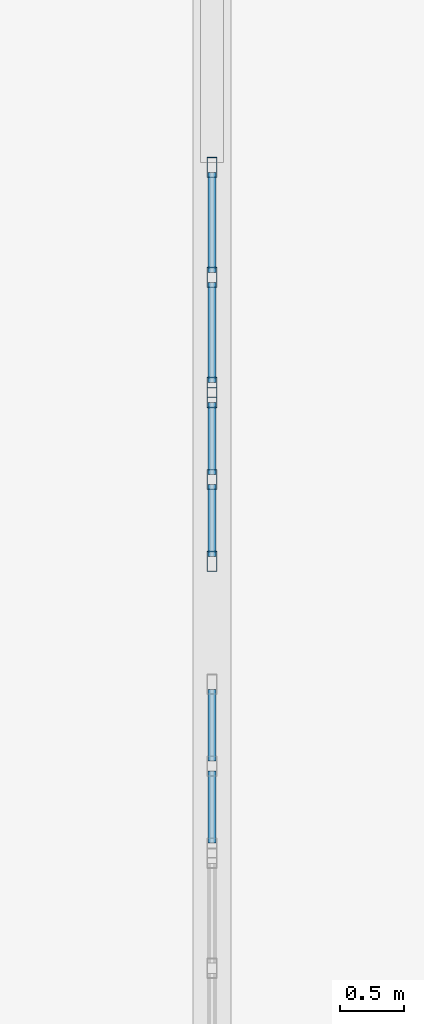
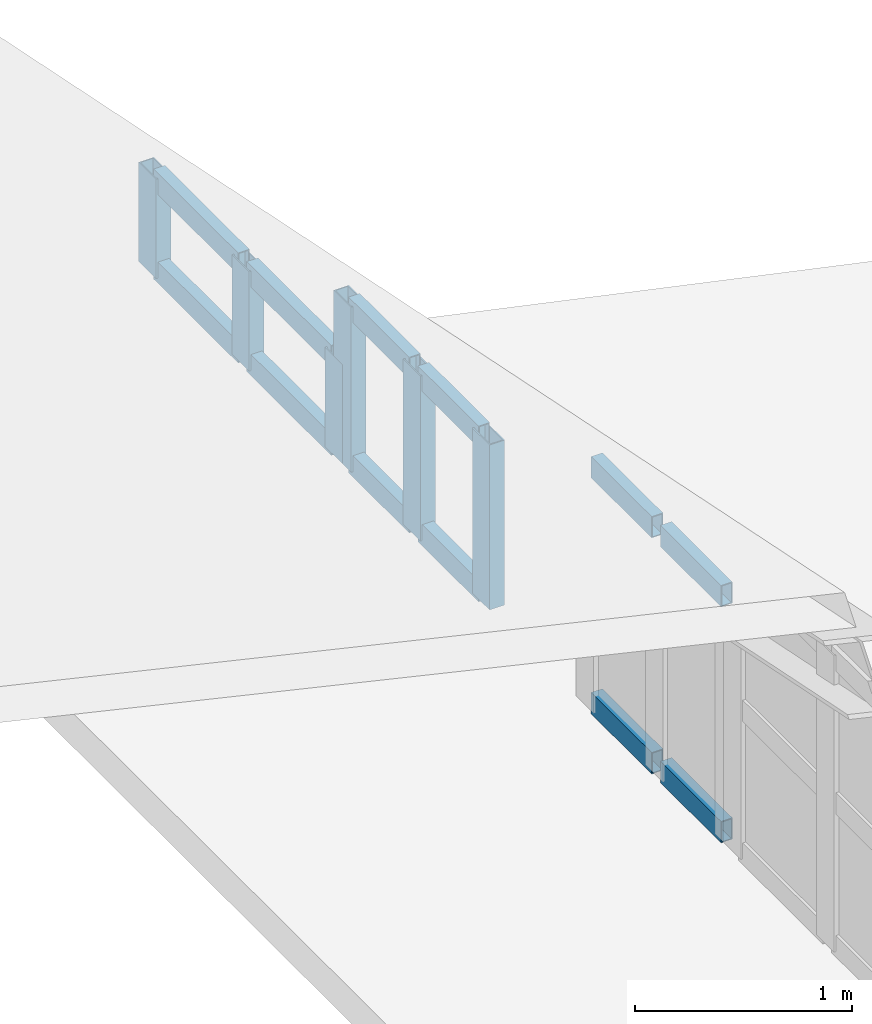
# One storey, part 48 of 76: 18 members, 3 elements without a shape of their own.
"""IFC4 building model written with IfcOpenShell, lengths in metres."""

from ifc_helpers import new_model, si_unit, direction, frame, origin, origin_2d, place, context, subcontext, project, spatial, hollow_rectangle, extrude, material, layer, layer_set, material_profile, profile_set, type_object, element, aggregate, save


model = new_model("IFC4")

# Units and contexts
model_context = context("Model", 3, precision=1e-05, world=origin(), true_north=direction((0.0, 1.0)))
body_context = subcontext(model_context, "Body", "Model", "MODEL_VIEW")
ifc_project = project(units=[si_unit("LENGTHUNIT", "METRE"), si_unit("AREAUNIT", "SQUARE_METRE"), si_unit("VOLUMEUNIT", "CUBIC_METRE"), si_unit("PLANEANGLEUNIT", "RADIAN"), si_unit("MASSUNIT", "GRAM", prefix="KILO"), si_unit("THERMODYNAMICTEMPERATUREUNIT", "KELVIN"), si_unit("POWERUNIT", "WATT")], contexts=[model_context])

# Site, building, storey
site_placement = place(None, origin())
site = spatial("IfcSite", under=ifc_project, at=site_placement, CompositionType="ELEMENT")
building_placement = place(site_placement, origin())
building = spatial("IfcBuilding", under=site, at=building_placement, Name="Kaldorven Railside Theatre", CompositionType="ELEMENT")
storey_placement = place(building_placement, frame((0.0, 0.0, 14.39990234375)))
storey = spatial("IfcBuildingStorey", under=building, at=storey_placement, Name="L03", CompositionType="ELEMENT", Elevation=14.39990234375)

# Curtain wall, members
ifc_material_1 = material(Name="Low-E laminated solar-control glass", Category="glass")
ifc_layer_1 = layer(ifc_material_1, 0.159912109375, Name="Low-E laminated solar-control glass")
ifc_layer_set_1 = layer_set([ifc_layer_1], Name="Low-E laminated solar-control glass")
curtain_wall_type_1 = type_object("IfcCurtainWallType", Name="CWT-72", PredefinedType="USERDEFINED", material=ifc_layer_set_1)
curtain_wall_1_placement = place(storey_placement, origin())
curtain_wall_1 = element("IfcCurtainWall", 1, at=curtain_wall_1_placement, inside=storey, type_object=curtain_wall_type_1, Name="Rehearsal East Gable Clerestory CWG-168", ObjectType="FLUTED GLAZING", PredefinedType="USERDEFINED")
ifc_material_2 = material(Name="Anodised bronze aluminium", Category="aluminium")
ifc_material_profile_1 = material_profile(ifc_material_2, hollow_rectangle(XDim=0.080078125, YDim=0.159912109375, WallThickness=0.00634765625, at=origin_2d()), Name="RHS 160x80x6.3")
ifc_profile_set_1 = profile_set([ifc_material_profile_1], Name="Anodised bronze aluminium")
member_type_1 = type_object("IfcMemberType", Name="CWM-160", PredefinedType="MULLION", material=ifc_profile_set_1)
member_1_placement = place(storey_placement, frame((180.800048828125, 134.8798828125, 0.02001953125), z_axis=(0.0, 0.0, 1.0), x_axis=(-1.0, 0.0, 0.0)))
member_1 = element("IfcMember", 2, at=member_1_placement, type_object=member_type_1, Name="CWG-168 mullion 1", PredefinedType="MULLION", context=body_context, shape_type="SweptSolid", body=[
    extrude(hollow_rectangle(XDim=0.080078125, YDim=0.159912109375, WallThickness=0.00634765625, at=origin_2d()), origin(), (0.0, 0.0, 1.0), 0.93017578125),
])
member_2_placement = place(storey_placement, frame((180.800048828125, 135.52001953125, 0.02001953125), z_axis=(0.0, 0.0, 1.0), x_axis=(-1.0, 0.0, 0.0)))
member_2 = element("IfcMember", 3, at=member_2_placement, type_object=member_type_1, Name="CWG-168 mullion 2", PredefinedType="MULLION", context=body_context, shape_type="SweptSolid", body=[
    extrude(hollow_rectangle(XDim=0.080078125, YDim=0.159912109375, WallThickness=0.00634765625, at=origin_2d()), origin(), (0.0, 0.0, 1.0), 0.93017578125),
])
member_3_placement = place(storey_placement, frame((180.800048828125, 136.159912109375, 0.02001953125), z_axis=(0.0, 0.0, 1.0), x_axis=(-1.0, 0.0, 0.0)))
member_3 = element("IfcMember", 4, at=member_3_placement, type_object=member_type_1, Name="CWG-168 mullion 3", PredefinedType="MULLION", context=body_context, shape_type="SweptSolid", body=[
    extrude(hollow_rectangle(XDim=0.080078125, YDim=0.159912109375, WallThickness=0.00634765625, at=origin_2d()), origin(), (0.0, 0.0, 1.0), 0.93017578125),
])

ifc_layer_2 = layer(ifc_material_1, 0.159912109375, Name="Low-E laminated solar-control glass")
ifc_layer_set_2 = layer_set([ifc_layer_2], Name="Low-E laminated solar-control glass")
curtain_wall_type_2 = type_object("IfcCurtainWallType", Name="CWT-71", PredefinedType="USERDEFINED", material=ifc_layer_set_2)
curtain_wall_2_placement = place(storey_placement, origin())
curtain_wall_2 = element("IfcCurtainWall", 5, at=curtain_wall_2_placement, inside=storey, type_object=curtain_wall_type_2, Name="Rehearsal East Gable Clerestory CWG-169", ObjectType="FLUTED GLAZING", PredefinedType="USERDEFINED")
member_4_placement = place(storey_placement, frame((180.800048828125, 136.239990234375, 0.02001953125), z_axis=(0.0, 0.0, 1.0), x_axis=(-1.0, 0.0, 0.0)))
member_4 = element("IfcMember", 6, at=member_4_placement, type_object=member_type_1, Name="CWG-169 mullion 1", PredefinedType="MULLION", context=body_context, shape_type="SweptSolid", body=[
    extrude(hollow_rectangle(XDim=0.080078125, YDim=0.159912109375, WallThickness=0.00634765625, at=origin_2d()), origin(), (0.0, 0.0, 1.0), 0.56005859375),
])
member_5_placement = place(storey_placement, frame((180.800048828125, 137.10009765625, 0.02001953125), z_axis=(0.0, 0.0, 1.0), x_axis=(-1.0, 0.0, 0.0)))
member_5 = element("IfcMember", 7, at=member_5_placement, type_object=member_type_1, Name="CWG-169 mullion 2", PredefinedType="MULLION", context=body_context, shape_type="SweptSolid", body=[
    extrude(hollow_rectangle(XDim=0.080078125, YDim=0.159912109375, WallThickness=0.00634765625, at=origin_2d()), origin(), (0.0, 0.0, 1.0), 0.56005859375),
])
member_6_placement = place(storey_placement, frame((180.800048828125, 137.9599609375, 0.02001953125), z_axis=(0.0, 0.0, 1.0), x_axis=(-1.0, 0.0, 0.0)))
member_6 = element("IfcMember", 8, at=member_6_placement, type_object=member_type_1, Name="CWG-169 mullion 3", PredefinedType="MULLION", context=body_context, shape_type="SweptSolid", body=[
    extrude(hollow_rectangle(XDim=0.080078125, YDim=0.159912109375, WallThickness=0.00634765625, at=origin_2d()), origin(), (0.0, 0.0, 1.0), 0.56005859375),
])

ifc_layer_3 = layer(ifc_material_1, 0.159912109375, Name="Low-E laminated solar-control glass")
ifc_layer_set_3 = layer_set([ifc_layer_3], Name="Low-E laminated solar-control glass")
curtain_wall_type_3 = type_object("IfcCurtainWallType", Name="CWT-73", PredefinedType="USERDEFINED", material=ifc_layer_set_3)
curtain_wall_3_placement = place(storey_placement, origin())
curtain_wall_3 = element("IfcCurtainWall", 9, at=curtain_wall_3_placement, inside=storey, type_object=curtain_wall_type_3, Name="Rehearsal East Gable Clerestory CWG-167", ObjectType="FLUTED GLAZING", PredefinedType="USERDEFINED")
ifc_material_profile_2 = material_profile(ifc_material_2, hollow_rectangle(XDim=0.06005859375, YDim=0.1201171875, WallThickness=0.0048828125, at=origin_2d()), Name="RHS 120x60x5")
ifc_profile_set_2 = profile_set([ifc_material_profile_2], Name="Anodised bronze aluminium")
member_type_2 = type_object("IfcMemberType", Name="CWT-120", PredefinedType="USERDEFINED", material=ifc_profile_set_2)
member_7_placement = place(storey_placement, frame((180.800048828125, 132.679931640625, 0.050048828125), z_axis=(0.0, 1.0, 0.0), x_axis=(-1.0, 0.0, 0.0)))
member_7 = element("IfcMember", 10, at=member_7_placement, type_object=member_type_2, Name="CWG-167 transom 1.1", ObjectType="TRANSOM", PredefinedType="USERDEFINED", context=body_context, shape_type="SweptSolid", body=[
    extrude(hollow_rectangle(XDim=0.06005859375, YDim=0.1201171875, WallThickness=0.0048828125, at=origin_2d()), origin(), (0.0, 0.0, 1.0), 0.56005859375),
])
member_8_placement = place(storey_placement, frame((180.800048828125, 132.679931640625, 1.380126953125), z_axis=(0.0, 1.0, 0.0), x_axis=(-1.0, 0.0, 0.0)))
member_8 = element("IfcMember", 11, at=member_8_placement, type_object=member_type_2, Name="CWG-167 transom 1.2", ObjectType="TRANSOM", PredefinedType="USERDEFINED", context=body_context, shape_type="SweptSolid", body=[
    extrude(hollow_rectangle(XDim=0.06005859375, YDim=0.1201171875, WallThickness=0.0048828125, at=origin_2d()), origin(), (0.0, 0.0, 1.0), 0.56005859375),
])
member_9_placement = place(storey_placement, frame((180.800048828125, 133.320068359375, 0.050048828125), z_axis=(0.0, 1.0, 0.0), x_axis=(-1.0, 0.0, 0.0)))
member_9 = element("IfcMember", 12, at=member_9_placement, type_object=member_type_2, Name="CWG-167 transom 2.1", ObjectType="TRANSOM", PredefinedType="USERDEFINED", context=body_context, shape_type="SweptSolid", body=[
    extrude(hollow_rectangle(XDim=0.06005859375, YDim=0.1201171875, WallThickness=0.0048828125, at=origin_2d()), origin(), (0.0, 0.0, 1.0), 0.559814453125),
])
member_10_placement = place(storey_placement, frame((180.800048828125, 133.320068359375, 1.380126953125), z_axis=(0.0, 1.0, 0.0), x_axis=(-1.0, 0.0, 0.0)))
member_10 = element("IfcMember", 13, at=member_10_placement, type_object=member_type_2, Name="CWG-167 transom 2.2", ObjectType="TRANSOM", PredefinedType="USERDEFINED", context=body_context, shape_type="SweptSolid", body=[
    extrude(hollow_rectangle(XDim=0.06005859375, YDim=0.1201171875, WallThickness=0.0048828125, at=origin_2d()), origin(), (0.0, 0.0, 1.0), 0.559814453125),
])
aggregate(curtain_wall_3, [member_7, member_8, member_9, member_10])

# Member
member_11_placement = place(storey_placement, frame((180.800048828125, 134.919921875, 0.050048828125), z_axis=(0.0, 1.0, 0.0), x_axis=(-1.0, 0.0, 0.0)))
member_11 = element("IfcMember", 14, at=member_11_placement, type_object=member_type_2, Name="CWG-168 transom 1.1", ObjectType="TRANSOM", PredefinedType="USERDEFINED", context=body_context, shape_type="SweptSolid", body=[
    extrude(hollow_rectangle(XDim=0.06005859375, YDim=0.1201171875, WallThickness=0.0048828125, at=origin_2d()), origin(), (0.0, 0.0, 1.0), 0.56005859375),
])

member_12_placement = place(storey_placement, frame((180.800048828125, 134.919921875, 0.920166015625), z_axis=(0.0, 1.0, 0.0), x_axis=(-1.0, 0.0, 0.0)))
member_12 = element("IfcMember", 15, at=member_12_placement, type_object=member_type_2, Name="CWG-168 transom 1.2", ObjectType="TRANSOM", PredefinedType="USERDEFINED", context=body_context, shape_type="SweptSolid", body=[
    extrude(hollow_rectangle(XDim=0.06005859375, YDim=0.1201171875, WallThickness=0.0048828125, at=origin_2d()), origin(), (0.0, 0.0, 1.0), 0.56005859375),
])

member_13_placement = place(storey_placement, frame((180.800048828125, 135.56005859375, 0.050048828125), z_axis=(0.0, 1.0, 0.0), x_axis=(-1.0, 0.0, 0.0)))
member_13 = element("IfcMember", 16, at=member_13_placement, type_object=member_type_2, Name="CWG-168 transom 2.1", ObjectType="TRANSOM", PredefinedType="USERDEFINED", context=body_context, shape_type="SweptSolid", body=[
    extrude(hollow_rectangle(XDim=0.06005859375, YDim=0.1201171875, WallThickness=0.0048828125, at=origin_2d()), origin(), (0.0, 0.0, 1.0), 0.56005859375),
])

member_14_placement = place(storey_placement, frame((180.800048828125, 135.56005859375, 0.920166015625), z_axis=(0.0, 1.0, 0.0), x_axis=(-1.0, 0.0, 0.0)))
member_14 = element("IfcMember", 17, at=member_14_placement, type_object=member_type_2, Name="CWG-168 transom 2.2", ObjectType="TRANSOM", PredefinedType="USERDEFINED", context=body_context, shape_type="SweptSolid", body=[
    extrude(hollow_rectangle(XDim=0.06005859375, YDim=0.1201171875, WallThickness=0.0048828125, at=origin_2d()), origin(), (0.0, 0.0, 1.0), 0.56005859375),
])

aggregate(curtain_wall_1, [member_1, member_2, member_3, member_11, member_12, member_13, member_14])

member_15_placement = place(storey_placement, frame((180.800048828125, 136.280029296875, 0.050048828125), z_axis=(0.0, 1.0, 0.0), x_axis=(-1.0, 0.0, 0.0)))
member_15 = element("IfcMember", 18, at=member_15_placement, type_object=member_type_2, Name="CWG-169 transom 1.1", ObjectType="TRANSOM", PredefinedType="USERDEFINED", context=body_context, shape_type="SweptSolid", body=[
    extrude(hollow_rectangle(XDim=0.06005859375, YDim=0.1201171875, WallThickness=0.0048828125, at=origin_2d()), origin(), (0.0, 0.0, 1.0), 0.780029296875),
])

member_16_placement = place(storey_placement, frame((180.800048828125, 136.280029296875, 0.550048828125), z_axis=(0.0, 1.0, 0.0), x_axis=(-1.0, 0.0, 0.0)))
member_16 = element("IfcMember", 19, at=member_16_placement, type_object=member_type_2, Name="CWG-169 transom 1.2", ObjectType="TRANSOM", PredefinedType="USERDEFINED", context=body_context, shape_type="SweptSolid", body=[
    extrude(hollow_rectangle(XDim=0.06005859375, YDim=0.1201171875, WallThickness=0.0048828125, at=origin_2d()), origin(), (0.0, 0.0, 1.0), 0.780029296875),
])

member_17_placement = place(storey_placement, frame((180.800048828125, 137.139892578125, 0.050048828125), z_axis=(0.0, 1.0, 0.0), x_axis=(-1.0, 0.0, 0.0)))
member_17 = element("IfcMember", 20, at=member_17_placement, type_object=member_type_2, Name="CWG-169 transom 2.1", ObjectType="TRANSOM", PredefinedType="USERDEFINED", context=body_context, shape_type="SweptSolid", body=[
    extrude(hollow_rectangle(XDim=0.06005859375, YDim=0.1201171875, WallThickness=0.0048828125, at=origin_2d()), origin(), (0.0, 0.0, 1.0), 0.780029296875),
])

member_18_placement = place(storey_placement, frame((180.800048828125, 137.139892578125, 0.550048828125), z_axis=(0.0, 1.0, 0.0), x_axis=(-1.0, 0.0, 0.0)))
member_18 = element("IfcMember", 21, at=member_18_placement, type_object=member_type_2, Name="CWG-169 transom 2.2", ObjectType="TRANSOM", PredefinedType="USERDEFINED", context=body_context, shape_type="SweptSolid", body=[
    extrude(hollow_rectangle(XDim=0.06005859375, YDim=0.1201171875, WallThickness=0.0048828125, at=origin_2d()), origin(), (0.0, 0.0, 1.0), 0.780029296875),
])

aggregate(curtain_wall_2, [member_4, member_5, member_6, member_15, member_16, member_17, member_18])

save(model, "model.ifc")
